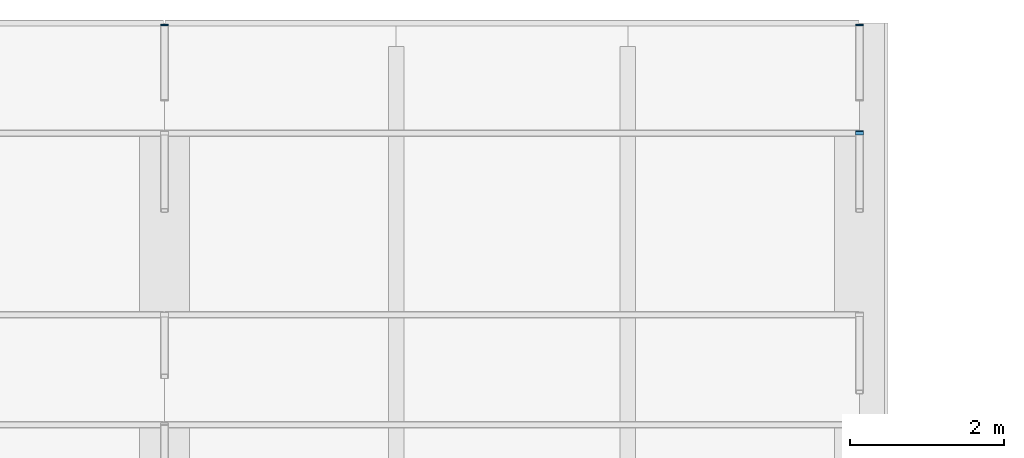
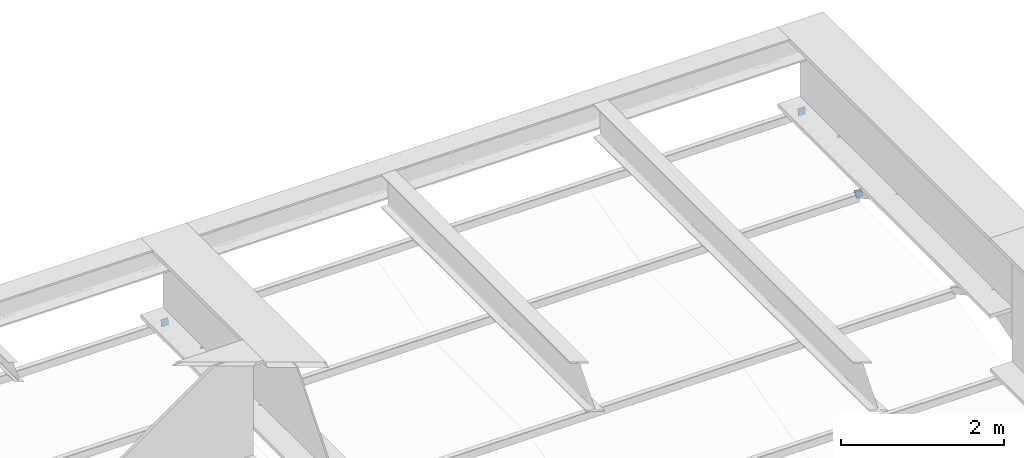
# One storey, part 127 of 153: 3 discrete accessories.
"""IFC4 building model written with IfcOpenShell, lengths in metres."""

from ifc_helpers import new_model, si_unit, direction, frame, origin, origin_2d, place, context, subcontext, project, spatial, rectangle, extrude, material, material_profile, profile_set, type_object, element, save


model = new_model("IFC4")

# Units and contexts
model_context = context("Model", 3, precision=1e-05, world=origin(), true_north=direction((0.0, 1.0)))
body_context = subcontext(model_context, "Body", "Model", "MODEL_VIEW")
ifc_project = project(units=[si_unit("LENGTHUNIT", "METRE"), si_unit("AREAUNIT", "SQUARE_METRE"), si_unit("VOLUMEUNIT", "CUBIC_METRE"), si_unit("PLANEANGLEUNIT", "RADIAN"), si_unit("MASSUNIT", "GRAM", prefix="KILO")], contexts=[model_context])

# Site, building, storey
site_placement = place(None, origin())
site = spatial("IfcSite", under=ifc_project, at=site_placement, CompositionType="ELEMENT")
building_placement = place(site_placement, origin())
building = spatial("IfcBuilding", under=site, at=building_placement, Name="Kallimachos Central Library", CompositionType="ELEMENT")
storey_placement = place(building_placement, frame((0.0, 0.0, 5.39990234375)))
storey = spatial("IfcBuildingStorey", under=building, at=storey_placement, Name="L01", CompositionType="ELEMENT", Elevation=5.39990234375)

# Discrete accessories
ifc_material = material(Name="Steel S355J2", Category="steel")
ifc_material_profile = material_profile(ifc_material, rectangle(XDim=0.10009765625, YDim=0.10009765625, at=origin_2d()), Name="End cap plate 10, 100x100")
ifc_profile_set = profile_set([ifc_material_profile], Name="Steel S355J2")
discrete_accessory_type = type_object("IfcDiscreteAccessoryType", Name="End cap plate 10, 100x100", PredefinedType="BRACKET", material=ifc_profile_set)
for number, where, z_axis, x_axis, name in (
    (1, (101.5, 121.77978515625, 2.94140625), (0.0, -0.985030467156, 0.172380331752), (1.0, 0.0, 0.0), "End cap plate"),
    (2, (110.5, 121.77978515625, 2.94140625), (0.0, -0.985030467156, 0.172380331752), (1.0, 0.0, 0.0), "End cap plate"),
    (3, (110.5, 120.3837890625, 2.562255859375), (0.0, -0.874157276122, 0.485642931179), (1.0, 0.0, 0.0), "End cap plate"),
):
    element("IfcDiscreteAccessory", number, at=place(storey_placement, frame(where, z_axis=z_axis, x_axis=x_axis)), inside=storey, type_object=discrete_accessory_type, Name=name, PredefinedType="BRACKET", context=body_context, shape_type="SweptSolid", body=[
        extrude(rectangle(XDim=0.10009765625, YDim=0.10009765625, at=origin_2d()), origin(), (0.0, 0.0, 1.0), 0.010009765625),
    ])

save(model, "model.ifc")
